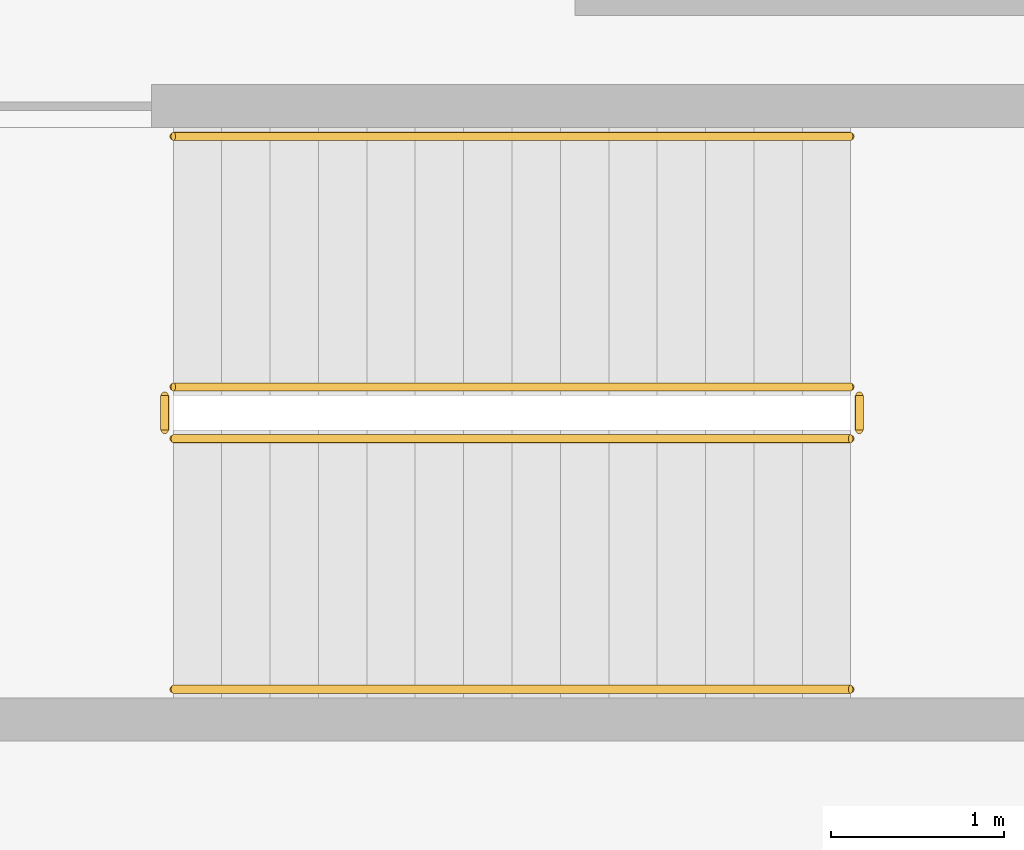
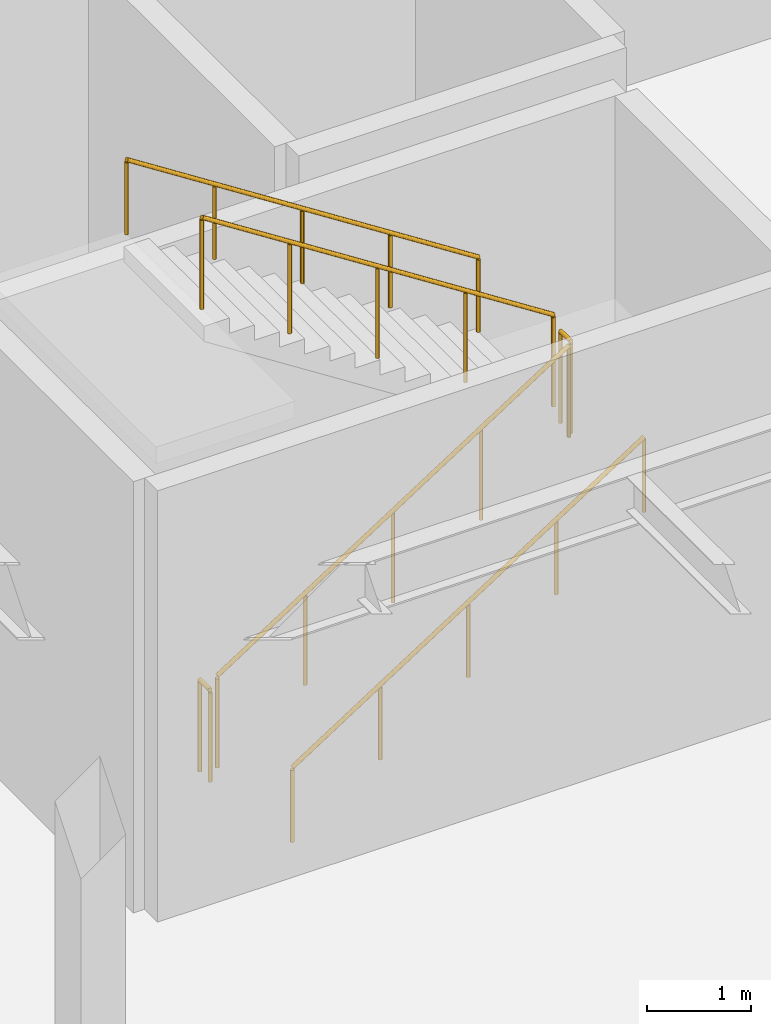
# One storey, part 180 of 188: 6 railings.
"""IFC4 building model written with IfcOpenShell, lengths in metres."""

from ifc_helpers import new_model, si_unit, direction, frame, origin, origin_2d, place, context, subcontext, project, spatial, circle, extrude, material, type_object, element, save


model = new_model("IFC4")

# Units and contexts
model_context = context("Model", 3, precision=1e-05, world=origin(), true_north=direction((0.0, 1.0)))
body_context = subcontext(model_context, "Body", "Model", "MODEL_VIEW")
ifc_project = project(units=[si_unit("LENGTHUNIT", "METRE"), si_unit("AREAUNIT", "SQUARE_METRE"), si_unit("VOLUMEUNIT", "CUBIC_METRE"), si_unit("PLANEANGLEUNIT", "RADIAN"), si_unit("MASSUNIT", "GRAM", prefix="KILO")], contexts=[model_context])

# Site, building, storey
site_placement = place(None, origin())
site = spatial("IfcSite", under=ifc_project, at=site_placement, CompositionType="ELEMENT")
building_placement = place(site_placement, origin())
building = spatial("IfcBuilding", under=site, at=building_placement, Name="Pandanus Reach Market Hall", CompositionType="ELEMENT")
storey_placement = place(building_placement, origin())
storey = spatial("IfcBuildingStorey", under=building, at=storey_placement, Name="L00", CompositionType="ELEMENT", Elevation=0.0)

# Railings
ifc_material_1 = material(Name="Galvanised steel Grade 350 (350 MPa)", Category="steel")
railing_type_1 = type_object("IfcRailingType", Name="GR-INT-110", PredefinedType="GUARDRAIL", material=ifc_material_1)
railing_1_placement = place(storey_placement, frame((111.550048828125, 111.699951171875, 0.179931640625)))
element("IfcRailing", 1, at=railing_1_placement, inside=storey, type_object=railing_type_1, Name="Stair guard ST-06 L00.126", PredefinedType="GUARDRAIL", context=body_context, shape_type="SweptSolid", body=[
    extrude(circle(Radius=0.02392578125, at=origin_2d()), frame((0.0, 0.0, 1.076171875), z_axis=(0.841171666519, 0.0, 0.540768182723), x_axis=(0.0, 1.0, 0.0)), (0.0, 0.0, 1.0), 4.66015625),
    extrude(circle(Radius=0.02099609375, at=origin_2d()), origin(), (0.0, 0.0, 1.0), 1.052001953125),
    extrude(circle(Radius=0.02099609375, at=origin_2d()), frame((0.97998046875, 0.0, 0.6298828125)), (0.0, 0.0, 1.0), 1.052001953125),
    extrude(circle(Radius=0.02099609375, at=origin_2d()), frame((1.9599609375, 0.0, 1.260009765625)), (0.0, 0.0, 1.0), 1.052001953125),
    extrude(circle(Radius=0.02099609375, at=origin_2d()), frame((2.93994140625, 0.0, 1.89013671875)), (0.0, 0.0, 1.0), 1.052001953125),
    extrude(circle(Radius=0.02099609375, at=origin_2d()), frame((3.919921875, 0.0, 2.52001953125)), (0.0, 0.0, 1.0), 1.052001953125),
])
railing_2_placement = place(storey_placement, frame((115.52001953125, 111.75, 2.699951171875)))
element("IfcRailing", 2, at=railing_2_placement, inside=storey, type_object=railing_type_1, Name="Stair guard ST-06 L00.127", PredefinedType="GUARDRAIL", context=body_context, shape_type="SweptSolid", body=[
    extrude(circle(Radius=0.02392578125, at=origin_2d()), frame((0.0, 0.0, 1.076171875), z_axis=(0.0, 1.0, 0.0), x_axis=(-1.0, 0.0, 0.0)), (0.0, 0.0, 1.0), 0.199951171875),
    extrude(circle(Radius=0.02099609375, at=origin_2d()), origin(), (0.0, 0.0, 1.0), 1.052001953125),
    extrude(circle(Radius=0.02099609375, at=origin_2d()), frame((0.0, 0.199951171875, 0.0)), (0.0, 0.0, 1.0), 1.052001953125),
])
railing_3_placement = place(storey_placement, frame((115.469970703125, 112.0, 2.8798828125)))
element("IfcRailing", 3, at=railing_3_placement, inside=storey, type_object=railing_type_1, Name="Stair guard ST-06 L00.128", PredefinedType="GUARDRAIL", context=body_context, shape_type="SweptSolid", body=[
    extrude(circle(Radius=0.02392578125, at=origin_2d()), frame((0.0, 0.0, 1.076171875), z_axis=(-0.841171666519, 0.0, 0.540768182723), x_axis=(0.0, -1.0, 0.0)), (0.0, 0.0, 1.0), 4.66015625),
    extrude(circle(Radius=0.02099609375, at=origin_2d()), origin(), (0.0, 0.0, 1.0), 1.052001953125),
    extrude(circle(Radius=0.02099609375, at=origin_2d()), frame((-0.97998046875, 0.0, 0.6298828125)), (0.0, 0.0, 1.0), 1.052001953125),
    extrude(circle(Radius=0.02099609375, at=origin_2d()), frame((-1.9599609375, 0.0, 1.260009765625)), (0.0, 0.0, 1.0), 1.052001953125),
    extrude(circle(Radius=0.02099609375, at=origin_2d()), frame((-2.93994140625, 0.0, 1.89013671875)), (0.0, 0.0, 1.0), 1.052001953125),
    extrude(circle(Radius=0.02099609375, at=origin_2d()), frame((-3.919921875, 0.0, 2.52001953125)), (0.0, 0.0, 1.0), 1.052001953125),
])
railing_4_placement = place(storey_placement, frame((111.5, 111.75, 0.0)))
element("IfcRailing", 4, at=railing_4_placement, inside=storey, type_object=railing_type_1, Name="Stair guard ST-06 L00.129", PredefinedType="GUARDRAIL", context=body_context, shape_type="SweptSolid", body=[
    extrude(circle(Radius=0.02392578125, at=origin_2d()), frame((0.0, 0.0, 1.076171875), z_axis=(0.0, 1.0, 0.0), x_axis=(-1.0, 0.0, 0.0)), (0.0, 0.0, 1.0), 0.199951171875),
    extrude(circle(Radius=0.02099609375, at=origin_2d()), origin(), (0.0, 0.0, 1.0), 1.052001953125),
    extrude(circle(Radius=0.02099609375, at=origin_2d()), frame((0.0, 0.199951171875, 0.0)), (0.0, 0.0, 1.0), 1.052001953125),
])
ifc_material_2 = material(Name="Brushed stainless steel", Category="steel")
railing_type_2 = type_object("IfcRailingType", Name="HR-WAL-090", PredefinedType="HANDRAIL", material=ifc_material_2)
railing_5_placement = place(storey_placement, frame((111.550048828125, 110.25, 0.179931640625)))
element("IfcRailing", 5, at=railing_5_placement, inside=storey, type_object=railing_type_2, Name="Stair handrail ST-06 L00.130", PredefinedType="HANDRAIL", context=body_context, shape_type="SweptSolid", body=[
    extrude(circle(Radius=0.02392578125, at=origin_2d()), frame((0.0, 0.0, 0.8759765625), z_axis=(0.841171666519, 0.0, 0.540768182723), x_axis=(0.0, 1.0, 0.0)), (0.0, 0.0, 1.0), 4.66015625),
    extrude(circle(Radius=0.02099609375, at=origin_2d()), origin(), (0.0, 0.0, 1.0), 0.851806640625),
    extrude(circle(Radius=0.02099609375, at=origin_2d()), frame((0.97998046875, 0.0, 0.6298828125)), (0.0, 0.0, 1.0), 0.851806640625),
    extrude(circle(Radius=0.02099609375, at=origin_2d()), frame((1.9599609375, 0.0, 1.260009765625)), (0.0, 0.0, 1.0), 0.851806640625),
    extrude(circle(Radius=0.02099609375, at=origin_2d()), frame((2.93994140625, 0.0, 1.89013671875)), (0.0, 0.0, 1.0), 0.851806640625),
    extrude(circle(Radius=0.02099609375, at=origin_2d()), frame((3.919921875, 0.0, 2.52001953125)), (0.0, 0.0, 1.0), 0.851806640625),
])
railing_6_placement = place(storey_placement, frame((115.469970703125, 113.449951171875, 2.8798828125)))
element("IfcRailing", 6, at=railing_6_placement, inside=storey, type_object=railing_type_2, Name="Stair handrail ST-06 L00.131", PredefinedType="HANDRAIL", context=body_context, shape_type="SweptSolid", body=[
    extrude(circle(Radius=0.02392578125, at=origin_2d()), frame((0.0, 0.0, 0.8759765625), z_axis=(-0.841171666519, 0.0, 0.540768182723), x_axis=(0.0, -1.0, 0.0)), (0.0, 0.0, 1.0), 4.66015625),
    extrude(circle(Radius=0.02099609375, at=origin_2d()), origin(), (0.0, 0.0, 1.0), 0.851806640625),
    extrude(circle(Radius=0.02099609375, at=origin_2d()), frame((-0.97998046875, 0.0, 0.6298828125)), (0.0, 0.0, 1.0), 0.851806640625),
    extrude(circle(Radius=0.02099609375, at=origin_2d()), frame((-1.9599609375, 0.0, 1.260009765625)), (0.0, 0.0, 1.0), 0.851806640625),
    extrude(circle(Radius=0.02099609375, at=origin_2d()), frame((-2.93994140625, 0.0, 1.89013671875)), (0.0, 0.0, 1.0), 0.851806640625),
    extrude(circle(Radius=0.02099609375, at=origin_2d()), frame((-3.919921875, 0.0, 2.52001953125)), (0.0, 0.0, 1.0), 0.851806640625),
])

save(model, "model.ifc")
